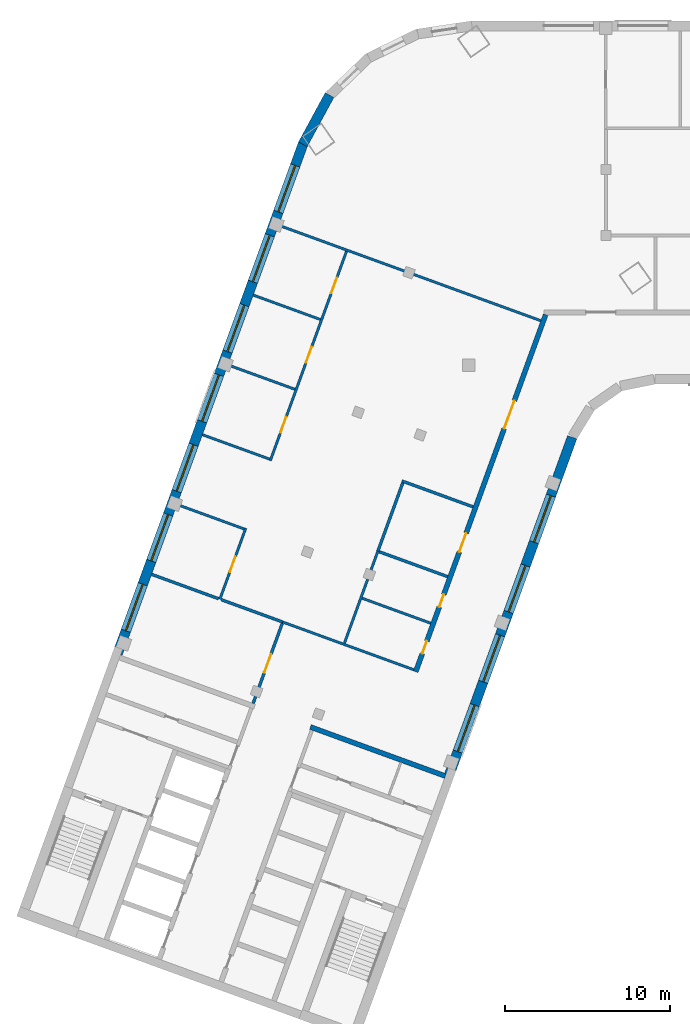
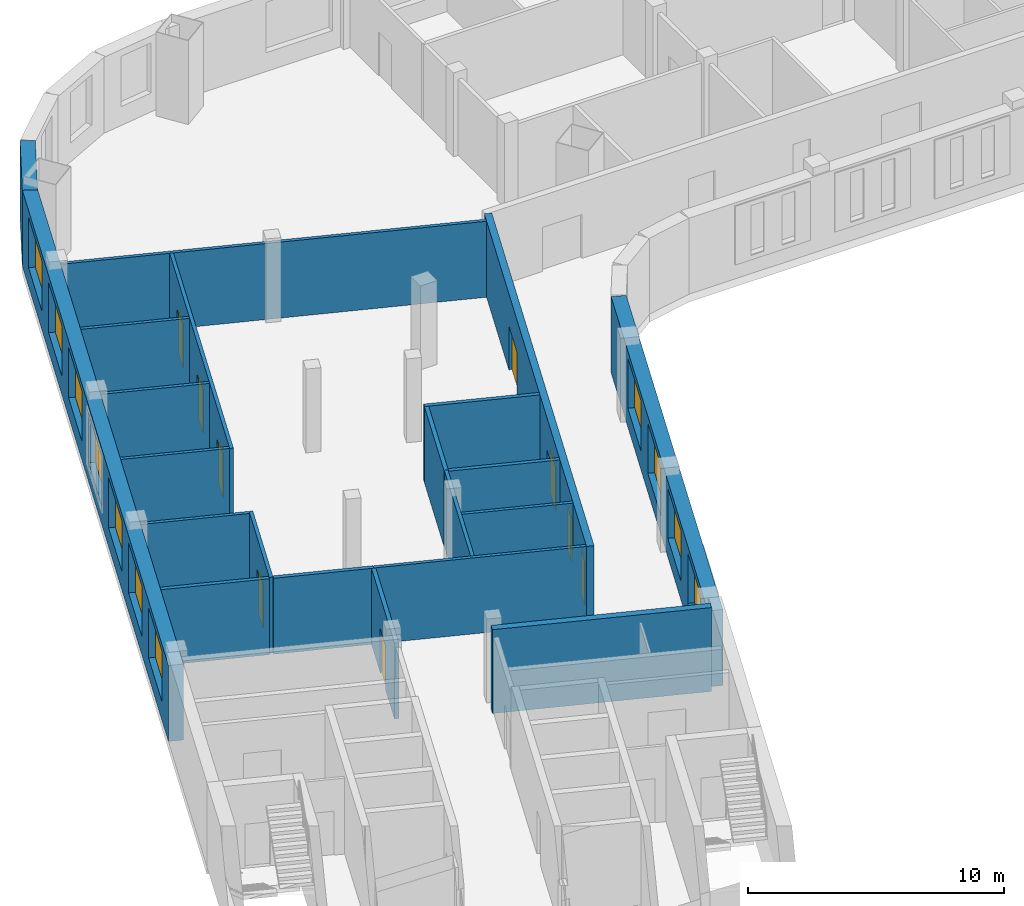
# One storey, part 3 of 8: 21 walls, 11 windows, 9 doors, 20 openings.
"""IFC4 building model written with IfcOpenShell, lengths in metres."""

import ifcopenshell
import ifcopenshell.guid

model = None  # the IFC model being written
_history = None  # IfcOwnerHistory: only IFC2X3 demands one
_inside = {}  # id of a spatial element -> (the spatial element, [elements in it])
_under = {}  # id of a project, library or spatial element -> (it, [spatial elements below it])
_declared = {}  # id of a project -> (the project, [libraries it declares])
_typed = {}  # id of a type object -> (the type object, [elements of that type])
_made_of = {}  # id of a material, layer set ... -> (it, [elements and type objects made of it])


def new_model(schema):
    """Start an empty IFC model of exactly this schema.

    Asked for "IFC4X3", IfcOpenShell would pick the latest addendum, in which some entities
    have other attributes; the version numbers below select the first issue.
    IFC2X3 requires an IfcOwnerHistory on every rooted entity: one is made here for all.
    """
    global model, _history
    if schema == "IFC4X3":
        model = ifcopenshell.file(schema_version=(4, 3, 0, 0))
    else:
        model = ifcopenshell.file(schema=schema)
    _inside.clear()
    _under.clear()
    _declared.clear()
    _typed.clear()
    _made_of.clear()
    _history = None
    if model.schema == "IFC2X3":
        org = make("IfcOrganization", Name="unknown")
        user = make(
            "IfcPersonAndOrganization",
            ThePerson=make("IfcPerson", FamilyName="unknown"),
            TheOrganization=org,
        )
        app = make(
            "IfcApplication",
            ApplicationDeveloper=org,
            Version="unknown",
            ApplicationFullName="unknown",
            ApplicationIdentifier="unknown",
        )
        _history = make(
            "IfcOwnerHistory",
            OwningUser=user,
            OwningApplication=app,
            ChangeAction="ADDED",
            CreationDate=0,
        )
    return model


def make(cls, **values):
    """One entity of the class cls with the attributes given. An attribute that is None is left unset."""
    return model.create_entity(
        cls, **{name: value for name, value in values.items() if value is not None}
    )


def rooted(cls, **values):
    """An entity with a GlobalId (a new one), such as an element, a storey or a relation."""
    return make(cls, GlobalId=ifcopenshell.guid.new(), OwnerHistory=_history, **values)


def si_unit(unit_type, name, prefix=None):
    """IfcSIUnit, for example si_unit("LENGTHUNIT", "METRE", prefix="MILLI")."""
    return make("IfcSIUnit", UnitType=unit_type, Prefix=prefix, Name=name)


def assignment(units):
    """IfcUnitAssignment: the units of a project."""
    return None if units is None else make("IfcUnitAssignment", Units=units)


def point(xyz):
    """IfcCartesianPoint."""
    return None if xyz is None else make("IfcCartesianPoint", Coordinates=xyz)


def direction(xyz):
    """IfcDirection."""
    return None if xyz is None else make("IfcDirection", DirectionRatios=xyz)


def frame(location, z_axis=None, x_axis=None):
    """IfcAxis2Placement3D, a coordinate frame: its origin and axes. An axis left out is left unset."""
    return make(
        "IfcAxis2Placement3D",
        Location=point(location),
        Axis=direction(z_axis),
        RefDirection=direction(x_axis),
    )


def frame_2d(location, x_axis=None):
    """IfcAxis2Placement2D, a coordinate frame in the plane: its origin and x axis."""
    return make(
        "IfcAxis2Placement2D", Location=point(location), RefDirection=direction(x_axis)
    )


def origin():
    """The frame at (0, 0, 0) with its axes left unset."""
    return frame((0.0, 0.0, 0.0))


def place(relative_to, where):
    """IfcLocalPlacement: puts the frame where relative to a parent placement (None: the world)."""
    return make(
        "IfcLocalPlacement", PlacementRelTo=relative_to, RelativePlacement=where
    )


def context(
    kind, dimensions, precision=None, world=None, true_north=None, identifier=None
):
    """IfcGeometricRepresentationContext, for example the 3D "Model" context."""
    return make(
        "IfcGeometricRepresentationContext",
        ContextIdentifier=identifier,
        ContextType=kind,
        CoordinateSpaceDimension=dimensions,
        Precision=precision,
        WorldCoordinateSystem=world,
        TrueNorth=true_north,
    )


def subcontext(parent, identifier, kind, view, scale=None):
    """IfcGeometricRepresentationSubContext, for example "Body" below "Model"."""
    return make(
        "IfcGeometricRepresentationSubContext",
        ContextIdentifier=identifier,
        ContextType=kind,
        ParentContext=parent,
        TargetScale=scale,
        TargetView=view,
    )


def project(units=None, contexts=None):
    """IfcProject with its units and contexts."""
    return rooted(
        "IfcProject",
        Name="project",
        RepresentationContexts=contexts,
        UnitsInContext=assignment(units),
    )


def spatial(cls, under=None, at=None, **own):
    """A site, building, storey or space (cls), placed at a placement, below another one or the project."""
    s = rooted(cls, ObjectPlacement=at, **own)
    if under is not None:
        _under.setdefault(under.id(), (under, []))[1].append(s)
    return s


def profile(cls, at=None, kind="AREA", **sizes):
    """A parametric profile (cls). Its sizes go by their IFC names, for example OverallWidth=200.0."""
    return make(cls, ProfileType=kind, Position=at, **sizes)


def rectangle(**sizes):
    """IfcRectangleProfileDef."""
    return profile("IfcRectangleProfileDef", **sizes)


def extrude(swept, where, along, depth):
    """IfcExtrudedAreaSolid: the profile swept, set in the frame where, extruded along a direction by depth."""
    return make(
        "IfcExtrudedAreaSolid",
        SweptArea=swept,
        Position=where,
        ExtrudedDirection=direction(along),
        Depth=depth,
    )


def shape(context_of_items, identifier, shape_type, items):
    """IfcShapeRepresentation: the items that make up one representation, for example the "Body"."""
    return make(
        "IfcShapeRepresentation",
        ContextOfItems=context_of_items,
        RepresentationIdentifier=identifier,
        RepresentationType=shape_type,
        Items=items,
    )


def material(Name=None, Category=None):
    """IfcMaterial."""
    return make("IfcMaterial", Name=Name, Category=Category)


def layer(
    of_material, thickness, ventilated=None, Name=None, Category=None, Priority=None
):
    """IfcMaterialLayer: one layer of a wall or slab, of a material (None: an air gap)."""
    return make(
        "IfcMaterialLayer",
        Material=of_material,
        LayerThickness=thickness,
        IsVentilated=ventilated,
        Name=Name,
        Category=Category,
        Priority=Priority,
    )


def layer_set(layers, Name=None):
    """IfcMaterialLayerSet."""
    return make("IfcMaterialLayerSet", MaterialLayers=layers, LayerSetName=Name)


def made_of(thing, what):
    """Note that an element or type object is made of a material, layer set ...; save() writes the relation."""
    if what is not None:
        _made_of.setdefault(what.id(), (what, []))[1].append(thing)
    return thing


def type_object(cls, material=None, **own):
    """A type object (cls), such as IfcWallType, which elements share."""
    return made_of(rooted(cls, **own), material)


def element(
    cls,
    number,
    at=None,
    inside=None,
    cuts=None,
    type_object=None,
    material=None,
    context=None,
    identifier="Body",
    shape_type=None,
    held_by="IfcProductDefinitionShape",
    body=None,
    shapes=None,
    **own,
):
    """One element of the class cls, such as IfcWall. Its Tag is "e" and its number.

    at: its placement. inside: the storey or other place that contains it. cuts: it is an
    opening in that element (IfcRelVoidsElement). A single representation is given by context,
    identifier, shape_type and body (its items); several are given by shapes. held_by: the class
    of the entity that holds the representations. save() writes the other relations.
    """
    e = rooted(cls, Tag="e%d" % number, ObjectPlacement=at, **own)
    if body is not None:
        shapes = [shape(context, identifier, shape_type, body)]
    if shapes is not None:
        e.Representation = make(held_by, Representations=shapes)
    if inside is not None:
        _inside.setdefault(inside.id(), (inside, []))[1].append(e)
    if cuts is not None:
        rooted(
            "IfcRelVoidsElement", RelatingBuildingElement=cuts, RelatedOpeningElement=e
        )
    if type_object is not None:
        _typed.setdefault(type_object.id(), (type_object, []))[1].append(e)
    return made_of(e, material)


def fill(opening, filler):
    """IfcRelFillsElement: the door or window that sits in an opening."""
    return rooted(
        "IfcRelFillsElement",
        RelatingOpeningElement=opening,
        RelatedBuildingElement=filler,
    )


def aggregate(whole, parts):
    """IfcRelAggregates: a whole, such as a stair, and the parts it consists of."""
    return rooted("IfcRelAggregates", RelatingObject=whole, RelatedObjects=parts)


def save(model, path):
    """Write the relations noted so far, then the file.

    IfcRelAggregates (storeys below a building ...), IfcRelContainedInSpatialStructure (elements
    in a storey), IfcRelDefinesByType, IfcRelAssociatesMaterial and IfcRelDeclares: one each for
    every whole, place, type object, material and project.
    """
    for whole, parts in _under.values():
        aggregate(whole, parts)
    for where, things in _inside.values():
        rooted(
            "IfcRelContainedInSpatialStructure",
            RelatedElements=things,
            RelatingStructure=where,
        )
    for kind, things in _typed.values():
        rooted("IfcRelDefinesByType", RelatedObjects=things, RelatingType=kind)
    for what, things in _made_of.values():
        rooted("IfcRelAssociatesMaterial", RelatedObjects=things, RelatingMaterial=what)
    for by, libraries in _declared.values():
        rooted("IfcRelDeclares", RelatingContext=by, RelatedDefinitions=libraries)
    model.write(path)


model = new_model("IFC4")

# Units and contexts
model_context = context("Model", 3, precision=1e-05, world=origin(), true_north=direction((0.0, 1.0)))
body_context = subcontext(model_context, "Body", "Model", "MODEL_VIEW")
ifc_project = project(units=[si_unit("LENGTHUNIT", "METRE"), si_unit("AREAUNIT", "SQUARE_METRE"), si_unit("VOLUMEUNIT", "CUBIC_METRE"), si_unit("PLANEANGLEUNIT", "RADIAN"), si_unit("MASSUNIT", "GRAM", prefix="KILO")], contexts=[model_context])

# Site, building, storey
site_placement = place(None, origin())
site = spatial("IfcSite", under=ifc_project, at=site_placement, CompositionType="ELEMENT")
building_placement = place(site_placement, origin())
building = spatial("IfcBuilding", under=site, at=building_placement, Name="Skarvind Civic Tower", CompositionType="ELEMENT")
storey_placement = place(building_placement, frame((0.0, 0.0, 220.0)))
storey = spatial("IfcBuildingStorey", under=building, at=storey_placement, Name="L52", CompositionType="ELEMENT", Elevation=220.0)

# Walls
ifc_material_1 = material(Name="Acoustic gypsum board on steel studs", Category="steel")
ifc_layer_1 = layer(ifc_material_1, 0.175048828125)
ifc_layer_set_1 = layer_set([ifc_layer_1], Name="ACOUSTIC MEETING-ROOM PARTITION 175")
wall_type_1 = type_object("IfcWallType", Name="ACOUSTIC MEETING-ROOM PARTITION 175", PredefinedType="PARTITIONING", material=ifc_layer_set_1)
wall_1_placement = place(storey_placement, frame((26.736083984375, 105.47998046875, 0.0), z_axis=(0.0, 0.0, 1.0), x_axis=(0.939677739056, -0.342061027776, 0.0)))
element("IfcWall", 1, at=wall_1_placement, inside=storey, type_object=wall_type_1, Name="Partition 52.001", PredefinedType="PARTITIONING", context=body_context, shape_type="SweptSolid", body=[
    extrude(rectangle(XDim=4.315185546875, YDim=0.175048828125, at=frame_2d((2.15771484375, 0.0))), origin(), (0.0, 0.0, 1.0), 3.625),
])
wall_2_placement = place(storey_placement, frame((30.949951171875, 103.946044921875, 0.0), z_axis=(0.0, 0.0, 1.0), x_axis=(0.939739492658, -0.341891336449, 0.0)))
element("IfcWall", 2, at=wall_2_placement, inside=storey, type_object=wall_type_1, Name="Partition 52.003", PredefinedType="PARTITIONING", context=body_context, shape_type="SweptSolid", body=[
    extrude(rectangle(XDim=3.966064453125, YDim=0.175048828125, at=frame_2d((1.98291015625, 0.0))), origin(), (0.0, 0.0, 1.0), 3.625),
])

# Wall, opening, door
wall_3_placement = place(storey_placement, frame((32.881103515625, 97.656982421875, 0.0), z_axis=(0.0, 0.0, 1.0), x_axis=(0.342058204353, 0.939678766832, 0.0)))
wall_3 = element("IfcWall", 3, at=wall_3_placement, inside=storey, type_object=wall_type_1, Name="Partition 52.010", PredefinedType="PARTITIONING", context=body_context, shape_type="SweptSolid", body=[
    extrude(rectangle(XDim=5.16259765625, YDim=0.175048828125, at=frame_2d((2.581298828125, 0.0))), origin(), (0.0, 0.0, 1.0), 3.625),
])
opening_1_placement = place(wall_3_placement, frame((1.9912109375, 0.0, 0.0)))
opening_1 = element("IfcOpeningElement", 4, at=opening_1_placement, cuts=wall_3, Name="Opening L52-D015", PredefinedType="OPENING", context=body_context, shape_type="SweptSolid", body=[
    extrude(rectangle(XDim=1.199951171875, YDim=2.10009765625, at=frame_2d((0.60009765625, 1.050048828125))), frame((0.0, 0.097412109375, 0.0), z_axis=(0.0, -1.0, 0.0), x_axis=(1.0, 0.0, 0.0)), (0.0, 0.0, 1.0), 0.195068359375),
])
ifc_material_2 = material(Name="Timber door leaf", Category="wood")
door_type_1 = type_object("IfcDoorType", Name="DOOR 1200X2100 DOUBLE TIMBER", OperationType="NOTDEFINED", PredefinedType="DOOR", material=ifc_material_2)
door_1_placement = place(opening_1_placement, origin())
door_1 = element("IfcDoor", 5, at=door_1_placement, inside=storey, type_object=door_type_1, Name="Door L52-D015", OperationType="DOUBLE_DOOR_SINGLE_SWING", OverallHeight=2.10009765625, OverallWidth=1.199951171875, PredefinedType="DOOR", context=body_context, shape_type="SweptSolid", body=[
    extrude(rectangle(XDim=1.199951171875, YDim=2.10009765625, at=frame_2d((0.60009765625, 1.050048828125))), frame((0.0, 0.02490234375, 0.0), z_axis=(0.0, -1.0, 0.0), x_axis=(1.0, 0.0, 0.0)), (0.0, 0.0, 1.0), 0.050048828125),
])
fill(opening_1, door_1)

# Walls
wall_4_placement = place(storey_placement, frame((40.52197265625, 106.847900390625, 0.0), z_axis=(0.0, 0.0, 1.0), x_axis=(0.939646357962, -0.342147222654, 0.0)))
element("IfcWall", 6, at=wall_4_placement, inside=storey, type_object=wall_type_1, Name="Partition 52.015", PredefinedType="PARTITIONING", context=body_context, shape_type="SweptSolid", body=[
    extrude(rectangle(XDim=4.413330078125, YDim=0.175048828125, at=frame_2d((2.20654296875, 0.0))), origin(), (0.0, 0.0, 1.0), 3.625),
])
wall_5_placement = place(storey_placement, frame((41.949951171875, 111.02392578125, 0.0), z_axis=(0.0, 0.0, 1.0), x_axis=(-0.342218375959, -0.939620446327, 0.0)))
element("IfcWall", 7, at=wall_5_placement, inside=storey, type_object=wall_type_1, Name="Partition 52.016", PredefinedType="PARTITIONING", context=body_context, shape_type="SweptSolid", body=[
    extrude(rectangle(XDim=4.412353515625, YDim=0.175048828125, at=frame_2d((2.2060546875, 0.0))), origin(), (0.0, 0.0, 1.0), 3.625),
])
wall_6_placement = place(storey_placement, frame((46.2080078125, 109.56689453125, 0.0), z_axis=(0.0, 0.0, 1.0), x_axis=(-0.939667480086, 0.342089208934, 0.0)))
element("IfcWall", 8, at=wall_6_placement, inside=storey, type_object=wall_type_1, Name="Partition 52.018", PredefinedType="PARTITIONING", context=body_context, shape_type="SweptSolid", body=[
    extrude(rectangle(XDim=4.586669921875, YDim=0.175048828125, at=frame_2d((2.29345703125, 0.0))), origin(), (0.0, 0.0, 1.0), 3.625),
])

# Wall, openings, doors
ifc_material_3 = material(Name="Fire-rated gypsum board on steel studs", Category="steel")
ifc_layer_2 = layer(ifc_material_3, 0.300048828125)
ifc_layer_set_2 = layer_set([ifc_layer_2], Name="CORRIDOR WALL 300")
wall_type_2 = type_object("IfcWallType", Name="CORRIDOR WALL 300", PredefinedType="PARTITIONING", material=ifc_layer_set_2)
wall_7_placement = place(storey_placement, frame((42.73193359375, 99.5791015625, 0.0), z_axis=(0.0, 0.0, 1.0), x_axis=(0.342036000593, 0.939686849061, 0.0)))
wall_7 = element("IfcWall", 9, at=wall_7_placement, inside=storey, type_object=wall_type_2, Name="Partition 52.017", PredefinedType="PARTITIONING", context=body_context, shape_type="SweptSolid", body=[
    extrude(rectangle(XDim=23.01806640625, YDim=0.300048828125, at=frame_2d((11.509033203125, 0.0))), origin(), (0.0, 0.0, 1.0), 3.625),
])
opening_2_placement = place(wall_7_placement, frame((1.174560546875, 0.0, 0.0)))
opening_2 = element("IfcOpeningElement", 10, at=opening_2_placement, cuts=wall_7, Name="Opening L52-D016", PredefinedType="OPENING", context=body_context, shape_type="SweptSolid", body=[
    extrude(rectangle(XDim=0.800048828125, YDim=2.10009765625, at=frame_2d((0.39990234375, 1.050048828125))), frame((0.0, 0.159912109375, 0.0), z_axis=(0.0, -1.0, 0.0), x_axis=(1.0, 0.0, 0.0)), (0.0, 0.0, 1.0), 0.320068359375),
])
opening_3_placement = place(wall_7_placement, frame((4.174560546875, 0.0, 0.0)))
opening_3 = element("IfcOpeningElement", 11, at=opening_3_placement, cuts=wall_7, Name="Opening L52-D017", PredefinedType="OPENING", context=body_context, shape_type="SweptSolid", body=[
    extrude(rectangle(XDim=0.800048828125, YDim=2.10009765625, at=frame_2d((0.39990234375, 1.050048828125))), frame((0.0, 0.159912109375, 0.0), z_axis=(0.0, -1.0, 0.0), x_axis=(1.0, 0.0, 0.0)), (0.0, 0.0, 1.0), 0.320068359375),
])
opening_4_placement = place(wall_7_placement, frame((7.724609375, 0.0, 0.0)))
opening_4 = element("IfcOpeningElement", 12, at=opening_4_placement, cuts=wall_7, Name="Opening L52-D018", PredefinedType="OPENING", context=body_context, shape_type="SweptSolid", body=[
    extrude(rectangle(XDim=1.199951171875, YDim=2.10009765625, at=frame_2d((0.60009765625, 1.050048828125))), frame((0.0, 0.159912109375, 0.0), z_axis=(0.0, -1.0, 0.0), x_axis=(1.0, 0.0, 0.0)), (0.0, 0.0, 1.0), 0.320068359375),
])
opening_5_placement = place(wall_7_placement, frame((15.674560546875, 0.0, 0.0)))
opening_5 = element("IfcOpeningElement", 13, at=opening_5_placement, cuts=wall_7, Name="Opening L52-D023", PredefinedType="OPENING", context=body_context, shape_type="SweptSolid", body=[
    extrude(rectangle(XDim=1.800048828125, YDim=2.10009765625, at=frame_2d((0.89990234375, 1.050048828125))), frame((0.0, 0.159912109375, 0.0), z_axis=(0.0, -1.0, 0.0), x_axis=(1.0, 0.0, 0.0)), (0.0, 0.0, 1.0), 0.320068359375),
])
ifc_material_4 = material(Name="Fire-rated timber door leaf", Category="wood")
door_type_2 = type_object("IfcDoorType", Name="FD4 1800x2100", OperationType="NOTDEFINED", PredefinedType="DOOR", material=ifc_material_4)
door_2_placement = place(opening_5_placement, origin())
door_2 = element("IfcDoor", 14, at=door_2_placement, inside=storey, type_object=door_type_2, Name="Door L52-D023", OperationType="DOUBLE_DOOR_SINGLE_SWING", OverallHeight=2.10009765625, OverallWidth=1.800048828125, PredefinedType="DOOR", context=body_context, shape_type="SweptSolid", body=[
    extrude(rectangle(XDim=1.800048828125, YDim=2.10009765625, at=frame_2d((0.89990234375, 1.050048828125))), frame((0.0, 0.02490234375, 0.0), z_axis=(0.0, -1.0, 0.0), x_axis=(1.0, 0.0, 0.0)), (0.0, 0.0, 1.0), 0.050048828125),
])
fill(opening_5, door_2)
door_type_3 = type_object("IfcDoorType", Name="FD5 800x2100", OperationType="NOTDEFINED", PredefinedType="DOOR", material=ifc_material_4)
door_3_placement = place(opening_2_placement, origin())
door_3 = element("IfcDoor", 15, at=door_3_placement, inside=storey, type_object=door_type_3, Name="Door L52-D016", OperationType="SINGLE_SWING_RIGHT", OverallHeight=2.10009765625, OverallWidth=0.800048828125, PredefinedType="DOOR", context=body_context, shape_type="SweptSolid", body=[
    extrude(rectangle(XDim=0.800048828125, YDim=2.10009765625, at=frame_2d((0.39990234375, 1.050048828125))), frame((0.0, 0.02490234375, 0.0), z_axis=(0.0, -1.0, 0.0), x_axis=(1.0, 0.0, 0.0)), (0.0, 0.0, 1.0), 0.050048828125),
])
fill(opening_2, door_3)
door_4_placement = place(opening_3_placement, origin())
door_4 = element("IfcDoor", 16, at=door_4_placement, inside=storey, type_object=door_type_3, Name="Door L52-D017", OperationType="SINGLE_SWING_LEFT", OverallHeight=2.10009765625, OverallWidth=0.800048828125, PredefinedType="DOOR", context=body_context, shape_type="SweptSolid", body=[
    extrude(rectangle(XDim=0.800048828125, YDim=2.10009765625, at=frame_2d((0.39990234375, 1.050048828125))), frame((0.0, 0.02490234375, 0.0), z_axis=(0.0, -1.0, 0.0), x_axis=(1.0, 0.0, 0.0)), (0.0, 0.0, 1.0), 0.050048828125),
])
fill(opening_3, door_4)
door_type_4 = type_object("IfcDoorType", Name="FD6 1200x2100 DOUBLE", OperationType="NOTDEFINED", PredefinedType="DOOR", material=ifc_material_4)
door_5_placement = place(opening_4_placement, origin())
door_5 = element("IfcDoor", 17, at=door_5_placement, inside=storey, type_object=door_type_4, Name="Door L52-D018", OperationType="DOUBLE_DOOR_SINGLE_SWING", OverallHeight=2.10009765625, OverallWidth=1.199951171875, PredefinedType="DOOR", context=body_context, shape_type="SweptSolid", body=[
    extrude(rectangle(XDim=1.199951171875, YDim=2.10009765625, at=frame_2d((0.60009765625, 1.050048828125))), frame((0.0, 0.02490234375, 0.0), z_axis=(0.0, -1.0, 0.0), x_axis=(1.0, 0.0, 0.0)), (0.0, 0.0, 1.0), 0.050048828125),
])
fill(opening_4, door_5)

# Walls
ifc_material_5 = material(Name="Concrete C60", Category="concrete")
ifc_layer_3 = layer(ifc_material_5, 0.300048828125)
ifc_layer_set_3 = layer_set([ifc_layer_3], Name="Core wall 300 C60")
wall_type_3 = type_object("IfcWallType", Name="Core wall 300 C60", PredefinedType="SHEAR", material=ifc_layer_set_3)
wall_8_placement = place(storey_placement, frame((44.52880859375, 93.258056640625, 0.0), z_axis=(0.0, 0.0, 1.0), x_axis=(-0.9396917844, 0.342022441267, 0.0)))
element("IfcWall", 18, at=wall_8_placement, inside=storey, type_object=wall_type_3, Name="Core wall C2 south inner face L52", PredefinedType="SHEAR", context=body_context, shape_type="SweptSolid", body=[
    extrude(rectangle(XDim=8.699951171875, YDim=0.300048828125, at=frame_2d((4.35009765625, 0.0))), origin(), (0.0, 0.0, 1.0), 4.0),
])
ifc_material_6 = material(Name="Plasterboard partition on steel studs", Category="steel")
ifc_layer_4 = layer(ifc_material_6, 0.14990234375)
ifc_layer_set_4 = layer_set([ifc_layer_4], Name="PARTITION 150")
wall_type_4 = type_object("IfcWallType", Name="PARTITION 150", PredefinedType="PARTITIONING", material=ifc_layer_set_4)
wall_9_placement = place(storey_placement, frame((28.27490234375, 109.708984375, 0.0), z_axis=(0.0, 0.0, 1.0), x_axis=(0.939737385516, -0.341897128188, 0.0)))
element("IfcWall", 19, at=wall_9_placement, inside=storey, type_object=wall_type_4, Name="Partition 52.002", PredefinedType="PARTITIONING", context=body_context, shape_type="SweptSolid", body=[
    extrude(rectangle(XDim=4.325927734375, YDim=0.14990234375, at=frame_2d((2.1630859375, 0.0))), origin(), (0.0, 0.0, 1.0), 3.625),
])
wall_10_placement = place(storey_placement, frame((31.35302734375, 118.166015625, 0.0), z_axis=(0.0, 0.0, 1.0), x_axis=(0.939803311208, -0.341715870634, 0.0)))
element("IfcWall", 20, at=wall_10_placement, inside=storey, type_object=wall_type_4, Name="Partition 52.004", PredefinedType="PARTITIONING", context=body_context, shape_type="SweptSolid", body=[
    extrude(rectangle(XDim=4.3251953125, YDim=0.14990234375, at=frame_2d((2.16259765625, 0.0))), origin(), (0.0, 0.0, 1.0), 3.625),
])

# Wall, opening, door
wall_11_placement = place(storey_placement, frame((32.43603515625, 108.27392578125, 0.0), z_axis=(0.0, 0.0, 1.0), x_axis=(-0.342145890874, -0.939646842893, 0.0)))
wall_11 = element("IfcWall", 21, at=wall_11_placement, inside=storey, type_object=wall_type_4, Name="Partition 52.005", PredefinedType="PARTITIONING", context=body_context, shape_type="SweptSolid", body=[
    extrude(rectangle(XDim=4.573974609375, YDim=0.14990234375, at=frame_2d((2.287109375, 0.0))), origin(), (0.0, 0.0, 1.0), 3.625),
])
opening_6_placement = place(wall_11_placement, frame((1.82421875, 0.0, 0.0)))
opening_6 = element("IfcOpeningElement", 22, at=opening_6_placement, cuts=wall_11, Name="Opening L52-D019", PredefinedType="OPENING", context=body_context, shape_type="SweptSolid", body=[
    extrude(rectangle(XDim=1.0, YDim=2.10009765625, at=frame_2d((0.5, 1.050048828125))), frame((0.0, 0.0849609375, 0.0), z_axis=(0.0, -1.0, 0.0), x_axis=(1.0, 0.0, 0.0)), (0.0, 0.0, 1.0), 0.169921875),
])
door_type_5 = type_object("IfcDoorType", Name="D1 1000x2100", OperationType="NOTDEFINED", PredefinedType="DOOR", material=ifc_material_2)
door_6_placement = place(opening_6_placement, origin())
door_6 = element("IfcDoor", 23, at=door_6_placement, inside=storey, type_object=door_type_5, Name="Door L52-D019", OperationType="SINGLE_SWING_LEFT", OverallHeight=2.10009765625, OverallWidth=1.0, PredefinedType="DOOR", context=body_context, shape_type="SweptSolid", body=[
    extrude(rectangle(XDim=1.0, YDim=2.10009765625, at=frame_2d((0.5, 1.050048828125))), frame((0.0, 0.02490234375, 0.0), z_axis=(0.0, -1.0, 0.0), x_axis=(1.0, 0.0, 0.0)), (0.0, 0.0, 1.0), 0.050048828125),
])
fill(opening_6, door_6)

# Walls
for number, where, z_axis, x_axis, name in (
    (24, (32.89208984375, 122.39501953125, 0.0), (0.0, 0.0, 1.0), (0.93973078783, -0.341915262023, 0.0), "Partition 52.006"),
    (25, (33.87890625, 112.458984375, 0.0), (0.0, 0.0, 1.0), (-0.93973078783, 0.341915262023, 0.0), "Partition 52.007"),
):
    element("IfcWall", number, at=place(storey_placement, frame(where, z_axis=z_axis, x_axis=x_axis)), inside=storey, type_object=wall_type_4, Name=name, PredefinedType="PARTITIONING", context=body_context, shape_type="SweptSolid", body=[
        extrude(rectangle(XDim=4.32568359375, YDim=0.14990234375, at=frame_2d((2.162841796875, 0.0))), origin(), (0.0, 0.0, 1.0), 3.625),
    ])

# Wall, openings, doors
wall_12_placement = place(storey_placement, frame((38.5400390625, 125.049072265625, 0.0), z_axis=(0.0, 0.0, 1.0), x_axis=(-0.341994252555, -0.939702043852, 0.0)))
wall_12 = element("IfcWall", 26, at=wall_12_placement, inside=storey, type_object=wall_type_4, Name="Partition 52.008", PredefinedType="PARTITIONING", context=body_context, shape_type="SweptSolid", body=[
    extrude(rectangle(XDim=13.5, YDim=0.14990234375, at=frame_2d((6.75, 0.0))), origin(), (0.0, 0.0, 1.0), 3.625),
])
opening_7_placement = place(wall_12_placement, frame((10.67529296875, 0.0, 0.0)))
opening_7 = element("IfcOpeningElement", 27, at=opening_7_placement, cuts=wall_12, Name="Opening L52-D020", PredefinedType="OPENING", context=body_context, shape_type="SweptSolid", body=[
    extrude(rectangle(XDim=1.0, YDim=2.10009765625, at=frame_2d((0.5, 1.050048828125))), frame((0.0, 0.0849609375, 0.0), z_axis=(0.0, -1.0, 0.0), x_axis=(1.0, 0.0, 0.0)), (0.0, 0.0, 1.0), 0.169921875),
])
opening_8_placement = place(wall_12_placement, frame((6.175537109375, 0.0, 0.0)))
opening_8 = element("IfcOpeningElement", 28, at=opening_8_placement, cuts=wall_12, Name="Opening L52-D021", PredefinedType="OPENING", context=body_context, shape_type="SweptSolid", body=[
    extrude(rectangle(XDim=1.0, YDim=2.10009765625, at=frame_2d((0.5, 1.050048828125))), frame((0.0, 0.0849609375, 0.0), z_axis=(0.0, -1.0, 0.0), x_axis=(1.0, 0.0, 0.0)), (0.0, 0.0, 1.0), 0.169921875),
])
opening_9_placement = place(wall_12_placement, frame((1.70263671875, 0.0, 0.0)))
opening_9 = element("IfcOpeningElement", 29, at=opening_9_placement, cuts=wall_12, Name="Opening L52-D022", PredefinedType="OPENING", context=body_context, shape_type="SweptSolid", body=[
    extrude(rectangle(XDim=1.0, YDim=2.10009765625, at=frame_2d((0.5, 1.050048828125))), frame((0.0, 0.0849609375, 0.0), z_axis=(0.0, -1.0, 0.0), x_axis=(1.0, 0.0, 0.0)), (0.0, 0.0, 1.0), 0.169921875),
])
door_7_placement = place(opening_7_placement, origin())
door_7 = element("IfcDoor", 30, at=door_7_placement, inside=storey, type_object=door_type_5, Name="Door L52-D020", OperationType="SINGLE_SWING_LEFT", OverallHeight=2.10009765625, OverallWidth=1.0, PredefinedType="DOOR", context=body_context, shape_type="SweptSolid", body=[
    extrude(rectangle(XDim=1.0, YDim=2.10009765625, at=frame_2d((0.5, 1.050048828125))), frame((0.0, 0.02490234375, 0.0), z_axis=(0.0, -1.0, 0.0), x_axis=(1.0, 0.0, 0.0)), (0.0, 0.0, 1.0), 0.050048828125),
])
fill(opening_7, door_7)
door_8_placement = place(opening_8_placement, origin())
door_8 = element("IfcDoor", 31, at=door_8_placement, inside=storey, type_object=door_type_5, Name="Door L52-D021", OperationType="SINGLE_SWING_LEFT", OverallHeight=2.10009765625, OverallWidth=1.0, PredefinedType="DOOR", context=body_context, shape_type="SweptSolid", body=[
    extrude(rectangle(XDim=1.0, YDim=2.10009765625, at=frame_2d((0.5, 1.050048828125))), frame((0.0, 0.02490234375, 0.0), z_axis=(0.0, -1.0, 0.0), x_axis=(1.0, 0.0, 0.0)), (0.0, 0.0, 1.0), 0.050048828125),
])
fill(opening_8, door_8)
door_9_placement = place(opening_9_placement, origin())
door_9 = element("IfcDoor", 32, at=door_9_placement, inside=storey, type_object=door_type_5, Name="Door L52-D022", OperationType="SINGLE_SWING_LEFT", OverallHeight=2.10009765625, OverallWidth=1.0, PredefinedType="DOOR", context=body_context, shape_type="SweptSolid", body=[
    extrude(rectangle(XDim=1.0, YDim=2.10009765625, at=frame_2d((0.5, 1.050048828125))), frame((0.0, 0.02490234375, 0.0), z_axis=(0.0, -1.0, 0.0), x_axis=(1.0, 0.0, 0.0)), (0.0, 0.0, 1.0), 0.050048828125),
])
fill(opening_9, door_9)

# Walls
wall_13_placement = place(storey_placement, frame((34.431884765625, 126.6240234375, 0.0), z_axis=(0.0, 0.0, 1.0), x_axis=(0.939664702396, -0.342096838733, 0.0)))
element("IfcWall", 33, at=wall_13_placement, inside=storey, type_object=wall_type_4, Name="Partition 52.009", PredefinedType="PARTITIONING", context=body_context, shape_type="SweptSolid", body=[
    extrude(rectangle(XDim=16.898681640625, YDim=0.14990234375, at=frame_2d((8.44921875, 0.0))), origin(), (0.0, 0.0, 1.0), 3.625),
])
wall_14_placement = place(storey_placement, frame((34.677001953125, 102.590087890625, 0.0), z_axis=(0.0, 0.0, 1.0), x_axis=(0.939683705252, -0.342044637561, 0.0)))
element("IfcWall", 34, at=wall_14_placement, inside=storey, type_object=wall_type_4, Name="Partition 52.011", PredefinedType="PARTITIONING", context=body_context, shape_type="SweptSolid", body=[
    extrude(rectangle(XDim=8.44970703125, YDim=0.14990234375, at=frame_2d((4.224853515625, 0.0))), origin(), (0.0, 0.0, 1.0), 3.625),
])
wall_15_placement = place(storey_placement, frame((38.4140625, 101.30908203125, 0.0), z_axis=(0.0, 0.0, 1.0), x_axis=(0.34186876189, 0.939747705315, 0.0)))
element("IfcWall", 35, at=wall_15_placement, inside=storey, type_object=wall_type_4, Name="Partition 52.013", PredefinedType="PARTITIONING", context=body_context, shape_type="SweptSolid", body=[
    extrude(rectangle(XDim=5.92578125, YDim=0.14990234375, at=frame_2d((2.962890625, 0.0))), origin(), (0.0, 0.0, 1.0), 3.625),
])
wall_16_placement = place(storey_placement, frame((39.48388671875, 104.032958984375, 0.0), z_axis=(0.0, 0.0, 1.0), x_axis=(0.939685474739, -0.342039776289, 0.0)))
element("IfcWall", 36, at=wall_16_placement, inside=storey, type_object=wall_type_4, Name="Partition 52.014", PredefinedType="PARTITIONING", context=body_context, shape_type="SweptSolid", body=[
    extrude(rectangle(XDim=4.426025390625, YDim=0.14990234375, at=frame_2d((2.212890625, 0.0))), origin(), (0.0, 0.0, 1.0), 3.625),
])

# Wall, openings, windows
ifc_material_7 = material(Name="Limestone masonry cladding on insulated backing", Category="masonry")
ifc_layer_5 = layer(ifc_material_7, 0.60009765625)
ifc_layer_set_5 = layer_set([ifc_layer_5], Name="WX1 STONE FACADE WALL 600")
wall_type_5 = type_object("IfcWallType", Name="WX1 STONE FACADE WALL 600", PredefinedType="SOLIDWALL", material=ifc_layer_set_5)
wall_17_placement = place(storey_placement, frame((52.212158203125, 113.78271484375, 0.0), z_axis=(0.0, 0.0, 1.0), x_axis=(-0.34202521188, -0.939690775968, 0.0)))
wall_17 = element("IfcWall", 37, at=wall_17_placement, inside=storey, type_object=wall_type_5, Name="STONE FACADE WALL", PredefinedType="SOLIDWALL", context=body_context, shape_type="SweptSolid", body=[
    extrude(rectangle(XDim=21.744873046875, YDim=0.60009765625, at=frame_2d((10.87255859375, 0.0))), origin(), (0.0, 0.0, 1.0), 3.625),
])
opening_10_placement = place(wall_17_placement, frame((3.764892578125, 0.0, 0.89990234375)))
opening_10 = element("IfcOpeningElement", 38, at=opening_10_placement, cuts=wall_17, Name="Opening WN1", PredefinedType="OPENING", context=body_context, shape_type="SweptSolid", body=[
    extrude(rectangle(XDim=3.0, YDim=2.39990234375, at=frame_2d((1.5, 1.199951171875))), frame((0.0, 0.31005859375, 0.0), z_axis=(0.0, -1.0, 0.0), x_axis=(1.0, 0.0, 0.0)), (0.0, 0.0, 1.0), 0.6201171875),
])
opening_11_placement = place(wall_17_placement, frame((8.264892578125, 0.0, 0.89990234375)))
opening_11 = element("IfcOpeningElement", 39, at=opening_11_placement, cuts=wall_17, Name="Opening WN1", PredefinedType="OPENING", context=body_context, shape_type="SweptSolid", body=[
    extrude(rectangle(XDim=3.0, YDim=2.39990234375, at=frame_2d((1.5, 1.199951171875))), frame((0.0, 0.31005859375, 0.0), z_axis=(0.0, -1.0, 0.0), x_axis=(1.0, 0.0, 0.0)), (0.0, 0.0, 1.0), 0.6201171875),
])
opening_12_placement = place(wall_17_placement, frame((12.764892578125, 0.0, 0.89990234375)))
opening_12 = element("IfcOpeningElement", 40, at=opening_12_placement, cuts=wall_17, Name="Opening WN1", PredefinedType="OPENING", context=body_context, shape_type="SweptSolid", body=[
    extrude(rectangle(XDim=3.0, YDim=2.39990234375, at=frame_2d((1.5, 1.199951171875))), frame((0.0, 0.31005859375, 0.0), z_axis=(0.0, -1.0, 0.0), x_axis=(1.0, 0.0, 0.0)), (0.0, 0.0, 1.0), 0.6201171875),
])
opening_13_placement = place(wall_17_placement, frame((17.264892578125, 0.0, 0.89990234375)))
opening_13 = element("IfcOpeningElement", 41, at=opening_13_placement, cuts=wall_17, Name="Opening WN1", PredefinedType="OPENING", context=body_context, shape_type="SweptSolid", body=[
    extrude(rectangle(XDim=3.0, YDim=2.39990234375, at=frame_2d((1.5, 1.199951171875))), frame((0.0, 0.31005859375, 0.0), z_axis=(0.0, -1.0, 0.0), x_axis=(1.0, 0.0, 0.0)), (0.0, 0.0, 1.0), 0.6201171875),
])
ifc_material_8 = material(Name="Timber frame, double glazing, timber-lined reveal", Category="wood")
window_type = type_object("IfcWindowType", Name="WN1 PUNCHED STONE WINDOW 3000 x 2400", PartitioningType="SINGLE_PANEL", PredefinedType="WINDOW", material=ifc_material_8)
window_1_placement = place(opening_10_placement, origin())
window_1 = element("IfcWindow", 42, at=window_1_placement, inside=storey, type_object=window_type, Name="WN1 WINDOW", OverallHeight=2.39990234375, OverallWidth=3.0, PartitioningType="SINGLE_PANEL", PredefinedType="WINDOW", context=body_context, shape_type="SweptSolid", body=[
    extrude(rectangle(XDim=3.0, YDim=2.39990234375, at=frame_2d((1.5, 1.199951171875))), frame((0.0, 0.030029296875, 0.0), z_axis=(0.0, -1.0, 0.0), x_axis=(1.0, 0.0, 0.0)), (0.0, 0.0, 1.0), 0.06005859375),
])
fill(opening_10, window_1)
window_2_placement = place(opening_11_placement, origin())
window_2 = element("IfcWindow", 43, at=window_2_placement, inside=storey, type_object=window_type, Name="WN1 WINDOW", OverallHeight=2.39990234375, OverallWidth=3.0, PartitioningType="SINGLE_PANEL", PredefinedType="WINDOW", context=body_context, shape_type="SweptSolid", body=[
    extrude(rectangle(XDim=3.0, YDim=2.39990234375, at=frame_2d((1.5, 1.199951171875))), frame((0.0, 0.030029296875, 0.0), z_axis=(0.0, -1.0, 0.0), x_axis=(1.0, 0.0, 0.0)), (0.0, 0.0, 1.0), 0.06005859375),
])
fill(opening_11, window_2)
window_3_placement = place(opening_12_placement, origin())
window_3 = element("IfcWindow", 44, at=window_3_placement, inside=storey, type_object=window_type, Name="WN1 WINDOW", OverallHeight=2.39990234375, OverallWidth=3.0, PartitioningType="SINGLE_PANEL", PredefinedType="WINDOW", context=body_context, shape_type="SweptSolid", body=[
    extrude(rectangle(XDim=3.0, YDim=2.39990234375, at=frame_2d((1.5, 1.199951171875))), frame((0.0, 0.030029296875, 0.0), z_axis=(0.0, -1.0, 0.0), x_axis=(1.0, 0.0, 0.0)), (0.0, 0.0, 1.0), 0.06005859375),
])
fill(opening_12, window_3)
window_4_placement = place(opening_13_placement, origin())
window_4 = element("IfcWindow", 45, at=window_4_placement, inside=storey, type_object=window_type, Name="WN1 WINDOW", OverallHeight=2.39990234375, OverallWidth=3.0, PartitioningType="SINGLE_PANEL", PredefinedType="WINDOW", context=body_context, shape_type="SweptSolid", body=[
    extrude(rectangle(XDim=3.0, YDim=2.39990234375, at=frame_2d((1.5, 1.199951171875))), frame((0.0, 0.030029296875, 0.0), z_axis=(0.0, -1.0, 0.0), x_axis=(1.0, 0.0, 0.0)), (0.0, 0.0, 1.0), 0.06005859375),
])
fill(opening_13, window_4)

# Wall
wall_18_placement = place(storey_placement, frame((35.89453125, 131.529541015625, 0.0), z_axis=(0.0, 0.0, 1.0), x_axis=(0.476531180538, 0.879157570618, 0.0)))
element("IfcWall", 46, at=wall_18_placement, inside=storey, type_object=wall_type_5, Name="STONE FACADE WALL", PredefinedType="SOLIDWALL", context=body_context, shape_type="SweptSolid", body=[
    extrude(rectangle(XDim=3.392578125, YDim=0.60009765625, at=frame_2d((1.6962890625, 0.0))), origin(), (0.0, 0.0, 1.0), 3.625),
])

# Wall, openings, windows
wall_19_placement = place(storey_placement, frame((24.66552734375, 100.668701171875, 0.0), z_axis=(0.0, 0.0, 1.0), x_axis=(0.34201964167, 0.939692803373, 0.0)))
wall_19 = element("IfcWall", 47, at=wall_19_placement, inside=storey, type_object=wall_type_5, Name="STONE FACADE WALL", PredefinedType="SOLIDWALL", context=body_context, shape_type="SweptSolid", body=[
    extrude(rectangle(XDim=32.88427734375, YDim=0.60009765625, at=frame_2d((16.442138671875, 0.0))), origin(), (0.0, 0.0, 1.0), 3.625),
])
opening_14_placement = place(wall_19_placement, frame((1.47998046875, 0.0, 0.89990234375)))
opening_14 = element("IfcOpeningElement", 48, at=opening_14_placement, cuts=wall_19, Name="Opening WN1", PredefinedType="OPENING", context=body_context, shape_type="SweptSolid", body=[
    extrude(rectangle(XDim=3.0, YDim=2.39990234375, at=frame_2d((1.5, 1.199951171875))), frame((0.0, 0.31005859375, 0.0), z_axis=(0.0, -1.0, 0.0), x_axis=(1.0, 0.0, 0.0)), (0.0, 0.0, 1.0), 0.6201171875),
])
opening_15_placement = place(wall_19_placement, frame((5.97998046875, 0.0, 0.89990234375)))
opening_15 = element("IfcOpeningElement", 49, at=opening_15_placement, cuts=wall_19, Name="Opening WN1", PredefinedType="OPENING", context=body_context, shape_type="SweptSolid", body=[
    extrude(rectangle(XDim=3.0, YDim=2.39990234375, at=frame_2d((1.5, 1.199951171875))), frame((0.0, 0.31005859375, 0.0), z_axis=(0.0, -1.0, 0.0), x_axis=(1.0, 0.0, 0.0)), (0.0, 0.0, 1.0), 0.6201171875),
])
opening_16_placement = place(wall_19_placement, frame((10.47998046875, 0.0, 0.89990234375)))
opening_16 = element("IfcOpeningElement", 50, at=opening_16_placement, cuts=wall_19, Name="Opening WN1", PredefinedType="OPENING", context=body_context, shape_type="SweptSolid", body=[
    extrude(rectangle(XDim=3.0, YDim=2.39990234375, at=frame_2d((1.5, 1.199951171875))), frame((0.0, 0.31005859375, 0.0), z_axis=(0.0, -1.0, 0.0), x_axis=(1.0, 0.0, 0.0)), (0.0, 0.0, 1.0), 0.6201171875),
])
opening_17_placement = place(wall_19_placement, frame((14.97998046875, 0.0, 0.89990234375)))
opening_17 = element("IfcOpeningElement", 51, at=opening_17_placement, cuts=wall_19, Name="Opening WN1", PredefinedType="OPENING", context=body_context, shape_type="SweptSolid", body=[
    extrude(rectangle(XDim=3.0, YDim=2.39990234375, at=frame_2d((1.5, 1.199951171875))), frame((0.0, 0.31005859375, 0.0), z_axis=(0.0, -1.0, 0.0), x_axis=(1.0, 0.0, 0.0)), (0.0, 0.0, 1.0), 0.6201171875),
])
opening_18_placement = place(wall_19_placement, frame((19.47998046875, 0.0, 0.89990234375)))
opening_18 = element("IfcOpeningElement", 52, at=opening_18_placement, cuts=wall_19, Name="Opening WN1", PredefinedType="OPENING", context=body_context, shape_type="SweptSolid", body=[
    extrude(rectangle(XDim=3.0, YDim=2.39990234375, at=frame_2d((1.5, 1.199951171875))), frame((0.0, 0.31005859375, 0.0), z_axis=(0.0, -1.0, 0.0), x_axis=(1.0, 0.0, 0.0)), (0.0, 0.0, 1.0), 0.6201171875),
])
opening_19_placement = place(wall_19_placement, frame((23.97998046875, 0.0, 0.89990234375)))
opening_19 = element("IfcOpeningElement", 53, at=opening_19_placement, cuts=wall_19, Name="Opening WN1", PredefinedType="OPENING", context=body_context, shape_type="SweptSolid", body=[
    extrude(rectangle(XDim=3.0, YDim=2.39990234375, at=frame_2d((1.5, 1.199951171875))), frame((0.0, 0.31005859375, 0.0), z_axis=(0.0, -1.0, 0.0), x_axis=(1.0, 0.0, 0.0)), (0.0, 0.0, 1.0), 0.6201171875),
])
opening_20_placement = place(wall_19_placement, frame((28.47998046875, 0.0, 0.89990234375)))
opening_20 = element("IfcOpeningElement", 54, at=opening_20_placement, cuts=wall_19, Name="Opening WN1", PredefinedType="OPENING", context=body_context, shape_type="SweptSolid", body=[
    extrude(rectangle(XDim=3.0, YDim=2.39990234375, at=frame_2d((1.5, 1.199951171875))), frame((0.0, 0.31005859375, 0.0), z_axis=(0.0, -1.0, 0.0), x_axis=(1.0, 0.0, 0.0)), (0.0, 0.0, 1.0), 0.6201171875),
])
window_5_placement = place(opening_14_placement, origin())
window_5 = element("IfcWindow", 55, at=window_5_placement, inside=storey, type_object=window_type, Name="WN1 WINDOW", OverallHeight=2.39990234375, OverallWidth=3.0, PartitioningType="SINGLE_PANEL", PredefinedType="WINDOW", context=body_context, shape_type="SweptSolid", body=[
    extrude(rectangle(XDim=3.0, YDim=2.39990234375, at=frame_2d((1.5, 1.199951171875))), frame((0.0, 0.030029296875, 0.0), z_axis=(0.0, -1.0, 0.0), x_axis=(1.0, 0.0, 0.0)), (0.0, 0.0, 1.0), 0.06005859375),
])
fill(opening_14, window_5)
window_6_placement = place(opening_15_placement, origin())
window_6 = element("IfcWindow", 56, at=window_6_placement, inside=storey, type_object=window_type, Name="WN1 WINDOW", OverallHeight=2.39990234375, OverallWidth=3.0, PartitioningType="SINGLE_PANEL", PredefinedType="WINDOW", context=body_context, shape_type="SweptSolid", body=[
    extrude(rectangle(XDim=3.0, YDim=2.39990234375, at=frame_2d((1.5, 1.199951171875))), frame((0.0, 0.030029296875, 0.0), z_axis=(0.0, -1.0, 0.0), x_axis=(1.0, 0.0, 0.0)), (0.0, 0.0, 1.0), 0.06005859375),
])
fill(opening_15, window_6)
window_7_placement = place(opening_16_placement, origin())
window_7 = element("IfcWindow", 57, at=window_7_placement, inside=storey, type_object=window_type, Name="WN1 WINDOW", OverallHeight=2.39990234375, OverallWidth=3.0, PartitioningType="SINGLE_PANEL", PredefinedType="WINDOW", context=body_context, shape_type="SweptSolid", body=[
    extrude(rectangle(XDim=3.0, YDim=2.39990234375, at=frame_2d((1.5, 1.199951171875))), frame((0.0, 0.030029296875, 0.0), z_axis=(0.0, -1.0, 0.0), x_axis=(1.0, 0.0, 0.0)), (0.0, 0.0, 1.0), 0.06005859375),
])
fill(opening_16, window_7)
window_8_placement = place(opening_17_placement, origin())
window_8 = element("IfcWindow", 58, at=window_8_placement, inside=storey, type_object=window_type, Name="WN1 WINDOW", OverallHeight=2.39990234375, OverallWidth=3.0, PartitioningType="SINGLE_PANEL", PredefinedType="WINDOW", context=body_context, shape_type="SweptSolid", body=[
    extrude(rectangle(XDim=3.0, YDim=2.39990234375, at=frame_2d((1.5, 1.199951171875))), frame((0.0, 0.030029296875, 0.0), z_axis=(0.0, -1.0, 0.0), x_axis=(1.0, 0.0, 0.0)), (0.0, 0.0, 1.0), 0.06005859375),
])
fill(opening_17, window_8)
window_9_placement = place(opening_18_placement, origin())
window_9 = element("IfcWindow", 59, at=window_9_placement, inside=storey, type_object=window_type, Name="WN1 WINDOW", OverallHeight=2.39990234375, OverallWidth=3.0, PartitioningType="SINGLE_PANEL", PredefinedType="WINDOW", context=body_context, shape_type="SweptSolid", body=[
    extrude(rectangle(XDim=3.0, YDim=2.39990234375, at=frame_2d((1.5, 1.199951171875))), frame((0.0, 0.030029296875, 0.0), z_axis=(0.0, -1.0, 0.0), x_axis=(1.0, 0.0, 0.0)), (0.0, 0.0, 1.0), 0.06005859375),
])
fill(opening_18, window_9)
window_10_placement = place(opening_19_placement, origin())
window_10 = element("IfcWindow", 60, at=window_10_placement, inside=storey, type_object=window_type, Name="WN1 WINDOW", OverallHeight=2.39990234375, OverallWidth=3.0, PartitioningType="SINGLE_PANEL", PredefinedType="WINDOW", context=body_context, shape_type="SweptSolid", body=[
    extrude(rectangle(XDim=3.0, YDim=2.39990234375, at=frame_2d((1.5, 1.199951171875))), frame((0.0, 0.030029296875, 0.0), z_axis=(0.0, -1.0, 0.0), x_axis=(1.0, 0.0, 0.0)), (0.0, 0.0, 1.0), 0.06005859375),
])
fill(opening_19, window_10)
window_11_placement = place(opening_20_placement, origin())
window_11 = element("IfcWindow", 61, at=window_11_placement, inside=storey, type_object=window_type, Name="WN1 WINDOW", OverallHeight=2.39990234375, OverallWidth=3.0, PartitioningType="SINGLE_PANEL", PredefinedType="WINDOW", context=body_context, shape_type="SweptSolid", body=[
    extrude(rectangle(XDim=3.0, YDim=2.39990234375, at=frame_2d((1.5, 1.199951171875))), frame((0.0, 0.030029296875, 0.0), z_axis=(0.0, -1.0, 0.0), x_axis=(1.0, 0.0, 0.0)), (0.0, 0.0, 1.0), 0.06005859375),
])
fill(opening_20, window_11)

save(model, "model.ifc")
